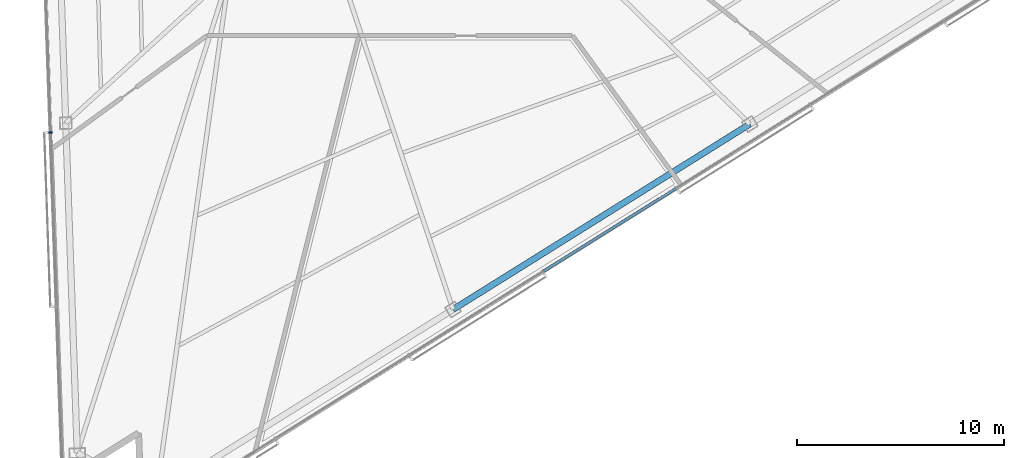
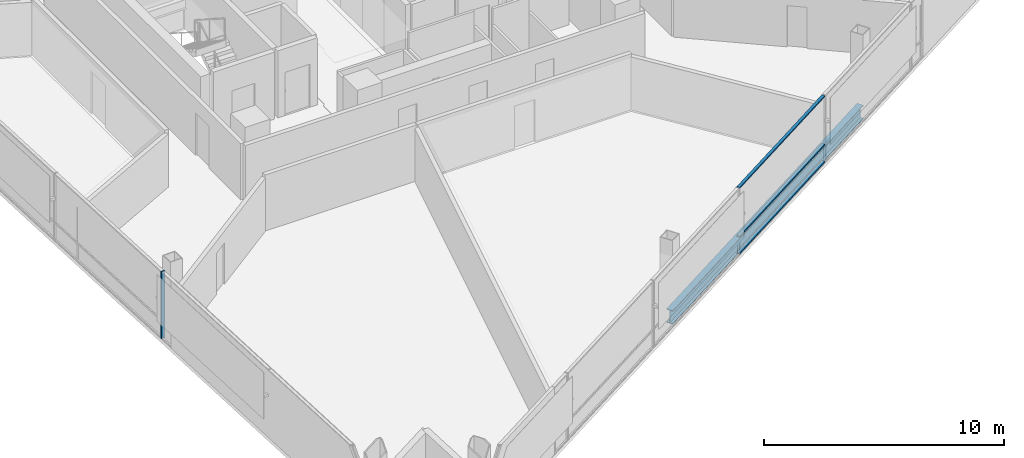
# One storey, part 3 of 21: 4 members, 1 beam, 2 elements without a shape of their own.
"""IFC4 building model written with IfcOpenShell, lengths in metres."""

from ifc_helpers import new_model, si_unit, direction, frame, origin, origin_2d, place, context, subcontext, project, spatial, rectangle, i_section, extrude, material, layer, layer_set, material_profile, profile_set, type_object, element, aggregate, save


model = new_model("IFC4")

# Units and contexts
model_context = context("Model", 3, precision=1e-05, world=origin(), true_north=direction((0.0, 1.0)))
body_context = subcontext(model_context, "Body", "Model", "MODEL_VIEW")
ifc_project = project(units=[si_unit("LENGTHUNIT", "METRE"), si_unit("AREAUNIT", "SQUARE_METRE"), si_unit("VOLUMEUNIT", "CUBIC_METRE"), si_unit("PLANEANGLEUNIT", "RADIAN"), si_unit("MASSUNIT", "GRAM", prefix="KILO")], contexts=[model_context])

# Site, building, storey
site_placement = place(None, origin())
site = spatial("IfcSite", under=ifc_project, at=site_placement, CompositionType="ELEMENT")
building_placement = place(site_placement, origin())
building = spatial("IfcBuilding", under=site, at=building_placement, Name="Tharavind Bronze Gate", CompositionType="ELEMENT")
storey_placement = place(building_placement, frame((0.0, 0.0, 142.39990234375)))
storey = spatial("IfcBuildingStorey", under=building, at=storey_placement, Name="L36", CompositionType="ELEMENT", Elevation=142.39990234375)

# Curtain wall, member
ifc_material_1 = material(Name="Anodised Bronze Aluminium", Category="aluminium")
ifc_layer = layer(ifc_material_1, 0.219970703125)
ifc_layer_set = layer_set([ifc_layer], Name="Anodised Bronze Aluminium")
curtain_wall_type = type_object("IfcCurtainWallType", Name="UNITISED CURTAIN WALL MID OFFICE", PredefinedType="USERDEFINED", material=ifc_layer_set)
curtain_wall_1_placement = place(storey_placement, origin())
curtain_wall_1 = element("IfcCurtainWall", 1, at=curtain_wall_1_placement, inside=storey, type_object=curtain_wall_type, Name="L36 unitised curtain wall mid office CW-L36-S1", ObjectType="UNITISED CURTAIN WALL", PredefinedType="USERDEFINED")
member_type_1 = type_object("IfcMemberType", Name="CURTAIN WALL BRONZE MULLION 65X180", PredefinedType="MULLION", material=ifc_material_1)
member_1_placement = place(storey_placement, frame((-17.545166015625, -15.273193359375, 0.0), z_axis=(0.0, 0.0, 1.0), x_axis=(0.034899496703, -0.999390827019, 0.0)))
member_1 = element("IfcMember", 2, at=member_1_placement, type_object=member_type_1, Name="CW-L36-S1 mullion 5", PredefinedType="MULLION", context=body_context, shape_type="SweptSolid", body=[
    extrude(rectangle(XDim=0.06494140625, YDim=0.179931640625, at=origin_2d()), origin(), (0.0, 0.0, 1.0), 3.409912109375),
])
aggregate(curtain_wall_1, [member_1])

# Curtain wall, members
curtain_wall_2_placement = place(storey_placement, origin())
curtain_wall_2 = element("IfcCurtainWall", 3, at=curtain_wall_2_placement, inside=storey, type_object=curtain_wall_type, Name="L36 unitised curtain wall mid office CW-L36-S2", ObjectType="UNITISED CURTAIN WALL", PredefinedType="USERDEFINED")
member_type_2 = type_object("IfcMemberType", Name="CURTAIN WALL BRONZE TRANSOM 65X140", PredefinedType="USERDEFINED", material=ifc_material_1)
member_2_placement = place(storey_placement, frame((9.485595703125, -19.97998046875, 0.000244140625), z_axis=(0.0, 0.0, 1.0), x_axis=(0.848048096156, 0.529919264233, 0.0)))
member_2 = element("IfcMember", 4, at=member_2_placement, type_object=member_type_2, Name="CW-L36-S2 transom TB4", ObjectType="TRANSOM", PredefinedType="USERDEFINED", context=body_context, shape_type="SweptSolid", body=[
    extrude(rectangle(XDim=7.57080078125, YDim=0.139892578125, at=origin_2d()), origin(), (0.0, 0.0, 1.0), 0.06494140625),
])
member_3_placement = place(storey_placement, frame((9.485595703125, -19.97998046875, 0.86767578125), z_axis=(0.0, 0.0, 1.0), x_axis=(0.848048096156, 0.529919264233, 0.0)))
member_3 = element("IfcMember", 5, at=member_3_placement, type_object=member_type_2, Name="CW-L36-S2 transom TS4", ObjectType="TRANSOM", PredefinedType="USERDEFINED", context=body_context, shape_type="SweptSolid", body=[
    extrude(rectangle(XDim=7.57080078125, YDim=0.139892578125, at=origin_2d()), origin(), (0.0, 0.0, 1.0), 0.06494140625),
])
member_4_placement = place(storey_placement, frame((9.485595703125, -19.97998046875, 3.34521484375), z_axis=(0.0, 0.0, 1.0), x_axis=(0.848048096156, 0.529919264233, 0.0)))
member_4 = element("IfcMember", 6, at=member_4_placement, type_object=member_type_2, Name="CW-L36-S2 transom TT4", ObjectType="TRANSOM", PredefinedType="USERDEFINED", context=body_context, shape_type="SweptSolid", body=[
    extrude(rectangle(XDim=7.57080078125, YDim=0.139892578125, at=origin_2d()), origin(), (0.0, 0.0, 1.0), 0.06494140625),
])
aggregate(curtain_wall_2, [member_2, member_3, member_4])

# Beam
ifc_material_2 = material(Name="Steel S355", Category="steel")
ifc_material_profile = material_profile(ifc_material_2, i_section(OverallWidth=0.300048828125, OverallDepth=0.699951171875, WebThickness=0.01708984375, FlangeThickness=0.031982421875, at=origin_2d()), Name="HE700B")
ifc_profile_set = profile_set([ifc_material_profile], Name="Steel S355")
beam_type = type_object("IfcBeamType", Name="RING GIRDER HE700B", PredefinedType="USERDEFINED", material=ifc_profile_set)
beam_placement = place(storey_placement, frame((1.912353515625, -23.827880859375, -0.539794921875), z_axis=(0.848050170677, 0.529915944293, 0.0), x_axis=(-0.529915944293, 0.848050170677, 0.0)))
element("IfcBeam", 7, at=beam_placement, inside=storey, type_object=beam_type, Name="L36 ring girder he700b BM-L36-PRG06", ObjectType="GIRDER", PredefinedType="USERDEFINED", context=body_context, shape_type="SweptSolid", body=[
    extrude(i_section(OverallWidth=0.300048828125, OverallDepth=0.699951171875, WebThickness=0.01708984375, FlangeThickness=0.031982421875, at=origin_2d()), origin(), (0.0, 0.0, 1.0), 16.923095703125),
])

save(model, "model.ifc")
